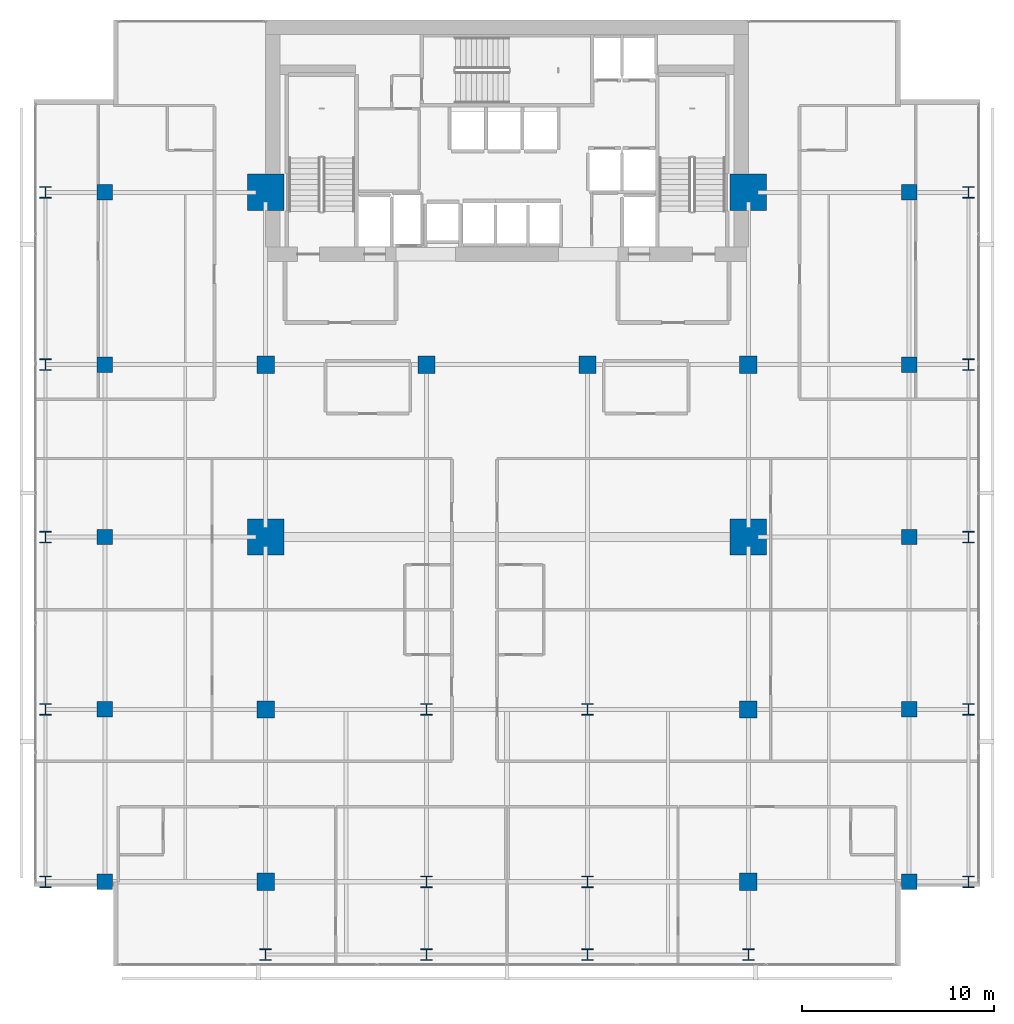
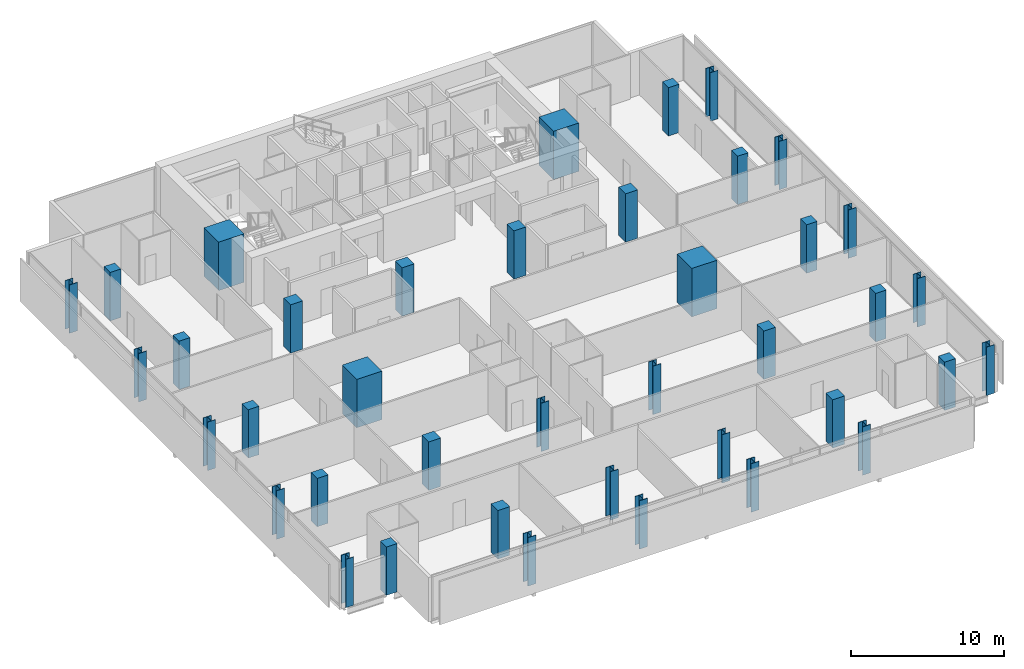
# One storey, part 1 of 32: 40 columns.
"""IFC4 building model written with IfcOpenShell, lengths in metres."""

from ifc_helpers import new_model, si_unit, direction, frame, origin, origin_2d, place, context, subcontext, project, spatial, rectangle, i_section, extrude, material, material_profile, profile_set, type_object, element, save


model = new_model("IFC4")

# Units and contexts
model_context = context("Model", 3, precision=1e-05, world=origin(), true_north=direction((0.0, 1.0)))
body_context = subcontext(model_context, "Body", "Model", "MODEL_VIEW")
ifc_project = project(units=[si_unit("LENGTHUNIT", "METRE"), si_unit("AREAUNIT", "SQUARE_METRE"), si_unit("VOLUMEUNIT", "CUBIC_METRE"), si_unit("PLANEANGLEUNIT", "RADIAN"), si_unit("MASSUNIT", "GRAM", prefix="KILO")], contexts=[model_context])

# Site, building, storey
site_placement = place(None, origin())
site = spatial("IfcSite", under=ifc_project, at=site_placement, CompositionType="ELEMENT")
building_placement = place(site_placement, origin())
building = spatial("IfcBuilding", under=site, at=building_placement, Name="Maruvema Waterfront Hotel and Observation Tower", CompositionType="ELEMENT")
storey_placement = place(building_placement, frame((0.0, 0.0, 223.64990234375)))
storey = spatial("IfcBuildingStorey", under=building, at=storey_placement, Name="L55", CompositionType="ELEMENT", Elevation=223.64990234375)

# Columns
ifc_material_1 = material(Name="Concrete C80/95", Category="concrete")
ifc_material_profile_1 = material_profile(ifc_material_1, rectangle(XDim=1.89990234375, YDim=1.89990234375, at=origin_2d()), Name="MC1900x1900")
ifc_profile_set_1 = profile_set([ifc_material_profile_1], Name="Concrete C80/95")
column_type_1 = type_object("IfcColumnType", Name="Continuous Mega-Column MC1900x1900", PredefinedType="COLUMN", material=ifc_profile_set_1)
for number, where, z_axis, x_axis, name in (
    (1, (25.199951171875, 27.0, 0.0), (0.0, 0.0, 1.0), (1.0, 0.0, 0.0), "L55 Continuous Mega-Column MC-01"),
    (2, (50.39990234375, 27.0, 0.0), (0.0, 0.0, 1.0), (1.0, 0.0, 0.0), "L55 Continuous Mega-Column MC-02"),
    (3, (25.199951171875, 45.0, 0.0), (0.0, 0.0, 1.0), (1.0, 0.0, 0.0), "L55 Continuous Mega-Column MC-03"),
    (4, (50.39990234375, 45.0, 0.0), (0.0, 0.0, 1.0), (1.0, 0.0, 0.0), "L55 Continuous Mega-Column MC-04"),
):
    element("IfcColumn", number, at=place(storey_placement, frame(where, z_axis=z_axis, x_axis=x_axis)), inside=storey, type_object=column_type_1, Name=name, PredefinedType="COLUMN", context=body_context, shape_type="SweptSolid", body=[
        extrude(rectangle(XDim=1.89990234375, YDim=1.89990234375, at=origin_2d()), origin(), (0.0, 0.0, 1.0), 3.85009765625),
    ])
ifc_material_2 = material(Name="Concrete C60/75", Category="concrete")
ifc_material_profile_2 = material_profile(ifc_material_2, rectangle(XDim=0.800048828125, YDim=0.800048828125, at=origin_2d()), Name="RC800x800")
ifc_profile_set_2 = profile_set([ifc_material_profile_2], Name="Concrete C60/75")
column_type_2 = type_object("IfcColumnType", Name="Reinforced Concrete Column RC800x800", PredefinedType="COLUMN", material=ifc_profile_set_2)
for number, where, z_axis, x_axis, name in (
    (5, (16.800048828125, 9.0, 0.0), (0.0, 0.0, 1.0), (1.0, 0.0, 0.0), "L55 Column C-3Y9"),
    (6, (58.800048828125, 9.0, 0.0), (0.0, 0.0, 1.0), (1.0, 0.0, 0.0), "L55 Column C-8Y9"),
    (7, (16.800048828125, 18.0, 0.0), (0.0, 0.0, 1.0), (1.0, 0.0, 0.0), "L55 Column C-3Y18"),
    (8, (58.800048828125, 18.0, 0.0), (0.0, 0.0, 1.0), (1.0, 0.0, 0.0), "L55 Column C-8Y18"),
    (9, (16.800048828125, 27.0, 0.0), (0.0, 0.0, 1.0), (1.0, 0.0, 0.0), "L55 Column C-3Y27"),
    (10, (58.800048828125, 27.0, 0.0), (0.0, 0.0, 1.0), (1.0, 0.0, 0.0), "L55 Column C-8Y27"),
    (11, (16.800048828125, 36.0, 0.0), (0.0, 0.0, 1.0), (1.0, 0.0, 0.0), "L55 Column C-3Y36"),
    (12, (58.800048828125, 36.0, 0.0), (0.0, 0.0, 1.0), (1.0, 0.0, 0.0), "L55 Column C-8Y36"),
    (13, (16.800048828125, 45.0, 0.0), (0.0, 0.0, 1.0), (1.0, 0.0, 0.0), "L55 Column C-3Y45"),
    (14, (58.800048828125, 45.0, 0.0), (0.0, 0.0, 1.0), (1.0, 0.0, 0.0), "L55 Column C-8Y45"),
):
    element("IfcColumn", number, at=place(storey_placement, frame(where, z_axis=z_axis, x_axis=x_axis)), inside=storey, type_object=column_type_2, Name=name, PredefinedType="COLUMN", context=body_context, shape_type="SweptSolid", body=[
        extrude(rectangle(XDim=0.800048828125, YDim=0.800048828125, at=origin_2d()), origin(), (0.0, 0.0, 1.0), 3.85009765625),
    ])
ifc_material_3 = material(Name="Concrete C60/75", Category="concrete")
ifc_material_profile_3 = material_profile(ifc_material_3, rectangle(XDim=0.89990234375, YDim=0.89990234375, at=origin_2d()), Name="RC900x900")
ifc_profile_set_3 = profile_set([ifc_material_profile_3], Name="Concrete C60/75")
column_type_3 = type_object("IfcColumnType", Name="Reinforced Concrete Column RC900x900", PredefinedType="COLUMN", material=ifc_profile_set_3)
for number, where, z_axis, x_axis, name in (
    (15, (25.199951171875, 36.0, 0.0), (0.0, 0.0, 1.0), (1.0, 0.0, 0.0), "L55 Column C-4E"),
    (16, (33.60009765625, 36.0, 0.0), (0.0, 0.0, 1.0), (1.0, 0.0, 0.0), "L55 Column C-5E"),
    (17, (42.0, 36.0, 0.0), (0.0, 0.0, 1.0), (1.0, 0.0, 0.0), "L55 Column C-6E"),
    (18, (50.39990234375, 36.0, 0.0), (0.0, 0.0, 1.0), (1.0, 0.0, 0.0), "L55 Column C-7E"),
    (19, (25.199951171875, 18.0, 0.0), (0.0, 0.0, 1.0), (1.0, 0.0, 0.0), "L55 Column C-4C"),
    (20, (50.39990234375, 18.0, 0.0), (0.0, 0.0, 1.0), (1.0, 0.0, 0.0), "L55 Column C-7C"),
    (21, (25.199951171875, 9.0, 0.0), (0.0, 0.0, 1.0), (1.0, 0.0, 0.0), "L55 Column C-4B"),
    (22, (50.39990234375, 9.0, 0.0), (0.0, 0.0, 1.0), (1.0, 0.0, 0.0), "L55 Column C-7B"),
):
    element("IfcColumn", number, at=place(storey_placement, frame(where, z_axis=z_axis, x_axis=x_axis)), inside=storey, type_object=column_type_3, Name=name, PredefinedType="COLUMN", context=body_context, shape_type="SweptSolid", body=[
        extrude(rectangle(XDim=0.89990234375, YDim=0.89990234375, at=origin_2d()), origin(), (0.0, 0.0, 1.0), 3.85009765625),
    ])
ifc_material_4 = material(Name="Steel ABNT NBR 7007 AR 415 (ASTM A572 Grade 50)", Category="steel")
ifc_material_profile_4 = material_profile(ifc_material_4, i_section(OverallWidth=0.60009765625, OverallDepth=0.60009765625, WebThickness=0.02490234375, FlangeThickness=0.0380859375, at=origin_2d()), Name="CVS600x317")
ifc_profile_set_4 = profile_set([ifc_material_profile_4], Name="Steel ABNT NBR 7007 AR 415 (ASTM A572 Grade 50)")
column_type_4 = type_object("IfcColumnType", Name="Structural Steel Column CVS600x317", PredefinedType="COLUMN", material=ifc_profile_set_4)
for number, where, z_axis, x_axis, name in (
    (23, (33.60009765625, 9.0, 0.0), (0.0, 0.0, 1.0), (1.0, 0.0, 0.0), "L55 Column C-5B"),
    (24, (42.0, 9.0, 0.0), (0.0, 0.0, 1.0), (1.0, 0.0, 0.0), "L55 Column C-6B"),
    (25, (33.60009765625, 18.0, 0.0), (0.0, 0.0, 1.0), (1.0, 0.0, 0.0), "L55 Column C-5C"),
    (26, (42.0, 18.0, 0.0), (0.0, 0.0, 1.0), (1.0, 0.0, 0.0), "L55 Column C-6C"),
    (27, (13.699951171875, 9.0, 0.0), (0.0, 0.0, 1.0), (1.0, 0.0, 0.0), "L55 Column C-Z2W9"),
    (28, (61.89990234375, 9.0, 0.0), (0.0, 0.0, 1.0), (1.0, 0.0, 0.0), "L55 Column C-Z2E9"),
    (29, (13.699951171875, 18.0, 0.0), (0.0, 0.0, 1.0), (1.0, 0.0, 0.0), "L55 Column C-Z2W18"),
    (30, (61.89990234375, 18.0, 0.0), (0.0, 0.0, 1.0), (1.0, 0.0, 0.0), "L55 Column C-Z2E18"),
    (31, (13.699951171875, 27.0, 0.0), (0.0, 0.0, 1.0), (1.0, 0.0, 0.0), "L55 Column C-Z2W27"),
    (32, (61.89990234375, 27.0, 0.0), (0.0, 0.0, 1.0), (1.0, 0.0, 0.0), "L55 Column C-Z2E27"),
    (33, (13.699951171875, 36.0, 0.0), (0.0, 0.0, 1.0), (1.0, 0.0, 0.0), "L55 Column C-Z2W36"),
    (34, (61.89990234375, 36.0, 0.0), (0.0, 0.0, 1.0), (1.0, 0.0, 0.0), "L55 Column C-Z2E36"),
    (35, (13.699951171875, 45.0, 0.0), (0.0, 0.0, 1.0), (1.0, 0.0, 0.0), "L55 Column C-Z2W45"),
    (36, (61.89990234375, 45.0, 0.0), (0.0, 0.0, 1.0), (1.0, 0.0, 0.0), "L55 Column C-Z2E45"),
    (37, (25.199951171875, 5.199951171875, 0.0), (0.0, 0.0, 1.0), (1.0, 0.0, 0.0), "L55 Column C-Z2S4"),
    (38, (33.60009765625, 5.199951171875, 0.0), (0.0, 0.0, 1.0), (1.0, 0.0, 0.0), "L55 Column C-Z2S5"),
    (39, (42.0, 5.199951171875, 0.0), (0.0, 0.0, 1.0), (1.0, 0.0, 0.0), "L55 Column C-Z2S6"),
    (40, (50.39990234375, 5.199951171875, 0.0), (0.0, 0.0, 1.0), (1.0, 0.0, 0.0), "L55 Column C-Z2S7"),
):
    element("IfcColumn", number, at=place(storey_placement, frame(where, z_axis=z_axis, x_axis=x_axis)), inside=storey, type_object=column_type_4, Name=name, PredefinedType="COLUMN", context=body_context, shape_type="SweptSolid", body=[
        extrude(i_section(OverallWidth=0.60009765625, OverallDepth=0.60009765625, WebThickness=0.02490234375, FlangeThickness=0.0380859375, at=origin_2d()), origin(), (0.0, 0.0, 1.0), 3.85009765625),
    ])

save(model, "model.ifc")
